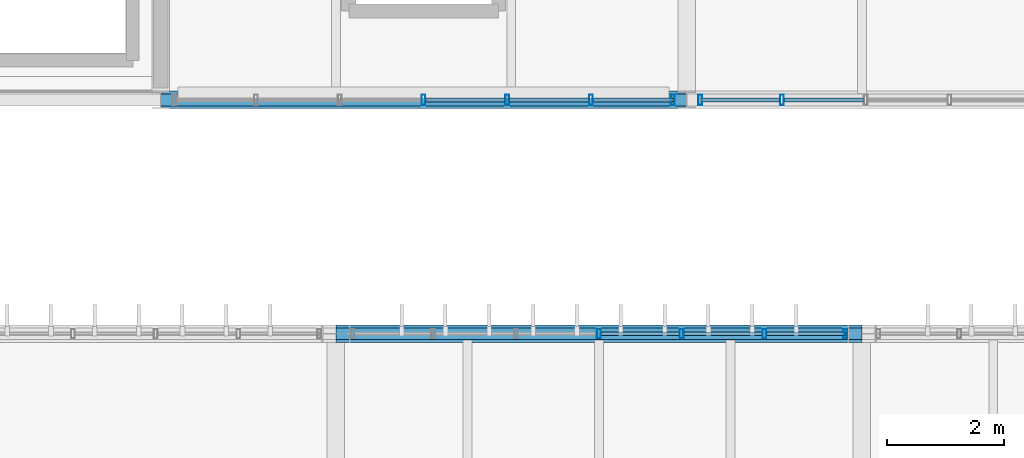
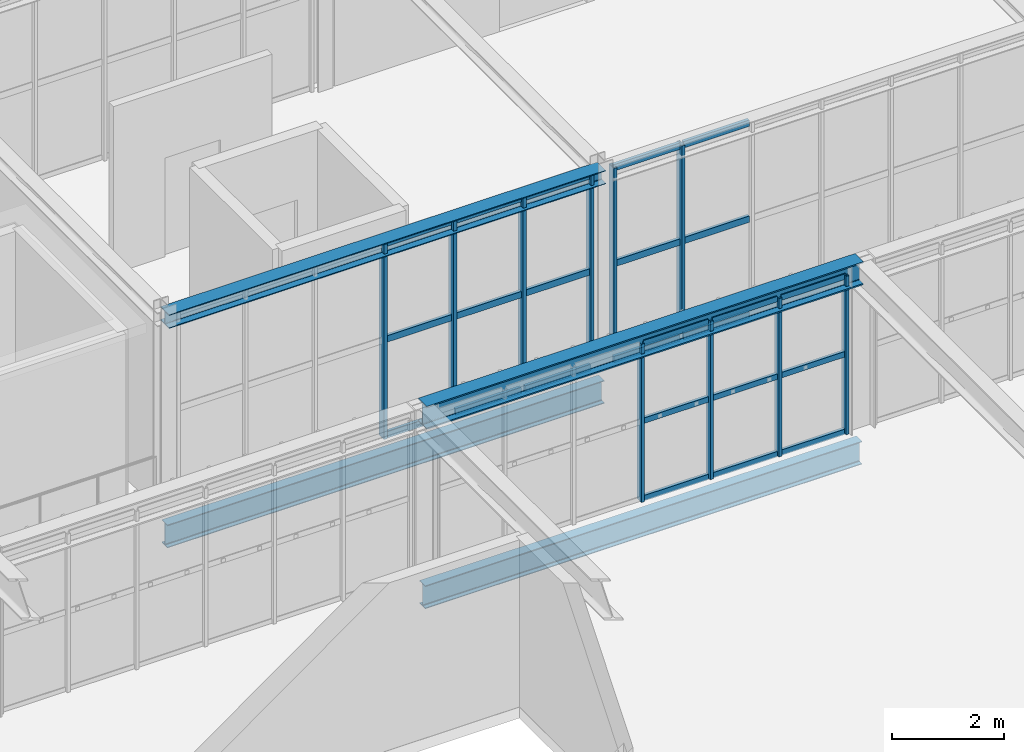
# One storey, part 59 of 152: 34 members, 4 beams, 3 elements without a shape of their own.
"""IFC4 building model written with IfcOpenShell, lengths in metres."""

from ifc_helpers import new_model, si_unit, derived_unit, direction, frame, origin, origin_2d, place, context, subcontext, project, spatial, hollow_rectangle, i_section, extrude, material, material_profile, profile_set, type_object, element, aggregate, save


model = new_model("IFC4")

# Units and contexts
model_context = context("Model", 3, precision=1e-05, world=origin(), true_north=direction((0.0, 1.0)))
body_context = subcontext(model_context, "Body", "Model", "MODEL_VIEW")
ifc_project = project(units=[si_unit("LENGTHUNIT", "METRE"), si_unit("AREAUNIT", "SQUARE_METRE"), si_unit("VOLUMEUNIT", "CUBIC_METRE"), si_unit("PLANEANGLEUNIT", "RADIAN"), si_unit("MASSUNIT", "GRAM", prefix="KILO"), si_unit("THERMODYNAMICTEMPERATUREUNIT", "KELVIN"), si_unit("TIMEUNIT", "SECOND"), derived_unit("THERMALTRANSMITTANCEUNIT", [(si_unit("MASSUNIT", "GRAM", prefix="KILO"), 1), (si_unit("THERMODYNAMICTEMPERATUREUNIT", "KELVIN"), -1), (si_unit("TIMEUNIT", "SECOND"), -3)])], contexts=[model_context])

# Site, building, storey
site_placement = place(None, origin())
site = spatial("IfcSite", under=ifc_project, at=site_placement, CompositionType="ELEMENT")
building_placement = place(site_placement, origin())
building = spatial("IfcBuilding", under=site, at=building_placement, Name="Cambertide Market Hall", CompositionType="ELEMENT")
storey_placement = place(building_placement, frame((0.0, 0.0, 5.39990234375)))
storey = spatial("IfcBuildingStorey", under=building, at=storey_placement, Name="L02", CompositionType="ELEMENT", Elevation=5.39990234375)

# Curtain wall, members
ifc_material_1 = material(Name="Marine Anodized Aluminium 6063-T6 AA25", Category="aluminium")
curtain_wall_type_1 = type_object("IfcCurtainWallType", Name="Lantern Straight Upper Curtain Wall", PredefinedType="USERDEFINED", material=ifc_material_1)
curtain_wall_1_placement = place(storey_placement, origin())
curtain_wall_1 = element("IfcCurtainWall", 1, at=curtain_wall_1_placement, inside=storey, type_object=curtain_wall_type_1, Name="Level 2 Curtain Wall CW-V1N-L02-2", ObjectType="UNITIZED CURTAIN WALL", PredefinedType="USERDEFINED")
ifc_material_2 = material(Name="Champagne Marine Anodized Aluminium 6063-T6 AA25", Category="aluminium")
ifc_material_profile_1 = material_profile(ifc_material_2, hollow_rectangle(XDim=0.06494140625, YDim=0.159912109375, WallThickness=0.00341796875, at=origin_2d()), Name="ALU MULLION 65x160")
ifc_profile_set_1 = profile_set([ifc_material_profile_1], Name="Champagne Marine Anodized Aluminium 6063-T6 AA25")
member_type_1 = type_object("IfcMemberType", Name="Curtain Wall Mullion ALU MULLION 65x160", PredefinedType="MULLION", material=ifc_profile_set_1)
member_1_placement = place(storey_placement, frame((55.5, 92.0, 0.0), z_axis=(0.0, 0.0, 1.0), x_axis=(1.0, 0.0, 0.0)))
member_1 = element("IfcMember", 2, at=member_1_placement, type_object=member_type_1, Name="CW-V1N-L02-2 Mullion 4", PredefinedType="MULLION", context=body_context, shape_type="SweptSolid", body=[
    extrude(hollow_rectangle(XDim=0.06494140625, YDim=0.159912109375, WallThickness=0.00341796875, at=origin_2d()), origin(), (0.0, 0.0, 1.0), 3.4501953125),
])
member_2_placement = place(storey_placement, frame((56.916748046875, 92.0, 0.0), z_axis=(0.0, 0.0, 1.0), x_axis=(1.0, 0.0, 0.0)))
member_2 = element("IfcMember", 3, at=member_2_placement, type_object=member_type_1, Name="CW-V1N-L02-2 Mullion 5", PredefinedType="MULLION", context=body_context, shape_type="SweptSolid", body=[
    extrude(hollow_rectangle(XDim=0.06494140625, YDim=0.159912109375, WallThickness=0.00341796875, at=origin_2d()), origin(), (0.0, 0.0, 1.0), 3.4501953125),
])
member_3_placement = place(storey_placement, frame((58.333251953125, 92.0, 0.0), z_axis=(0.0, 0.0, 1.0), x_axis=(1.0, 0.0, 0.0)))
member_3 = element("IfcMember", 4, at=member_3_placement, type_object=member_type_1, Name="CW-V1N-L02-2 Mullion 6", PredefinedType="MULLION", context=body_context, shape_type="SweptSolid", body=[
    extrude(hollow_rectangle(XDim=0.06494140625, YDim=0.159912109375, WallThickness=0.00341796875, at=origin_2d()), origin(), (0.0, 0.0, 1.0), 3.4501953125),
])
member_4_placement = place(storey_placement, frame((59.715087890625, 92.0, 0.0), z_axis=(0.0, 0.0, 1.0), x_axis=(1.0, 0.0, 0.0)))
member_4 = element("IfcMember", 5, at=member_4_placement, type_object=member_type_1, Name="CW-V1N-L02-2 Mullion 7", PredefinedType="MULLION", context=body_context, shape_type="SweptSolid", body=[
    extrude(hollow_rectangle(XDim=0.06494140625, YDim=0.159912109375, WallThickness=0.00341796875, at=origin_2d()), origin(), (0.0, 0.0, 1.0), 3.4501953125),
])

ifc_material_3 = material(Name="Marine Anodized Aluminium 6063-T6 AA25", Category="aluminium")
curtain_wall_type_2 = type_object("IfcCurtainWallType", Name="Herb Tea Pavilion Terrace Glazed Wall", PredefinedType="USERDEFINED", material=ifc_material_3)
curtain_wall_2_placement = place(storey_placement, origin())
curtain_wall_2 = element("IfcCurtainWall", 6, at=curtain_wall_2_placement, inside=storey, type_object=curtain_wall_type_2, Name="Level 2 Curtain Wall CW-V2PAV-S-4", ObjectType="UNITIZED CURTAIN WALL", PredefinedType="USERDEFINED")
ifc_material_4 = material(Name="Champagne Marine Anodized Aluminium 6063-T6 AA25", Category="aluminium")
ifc_material_profile_2 = material_profile(ifc_material_4, hollow_rectangle(XDim=0.06494140625, YDim=0.179931640625, WallThickness=0.00390625, at=origin_2d()), Name="ALU MULLION 65x180")
ifc_profile_set_2 = profile_set([ifc_material_profile_2], Name="Champagne Marine Anodized Aluminium 6063-T6 AA25")
member_type_2 = type_object("IfcMemberType", Name="Curtain Wall Mullion ALU MULLION 65x180", PredefinedType="MULLION", material=ifc_profile_set_2)
member_5_placement = place(storey_placement, frame((56.764892578125, 96.0, 0.0), z_axis=(0.0, 0.0, 1.0), x_axis=(-1.0, 0.0, 0.0)))
member_5 = element("IfcMember", 7, at=member_5_placement, type_object=member_type_2, Name="CW-V2PAV-S-4 Mullion 1", PredefinedType="MULLION", context=body_context, shape_type="SweptSolid", body=[
    extrude(hollow_rectangle(XDim=0.06494140625, YDim=0.179931640625, WallThickness=0.00390625, at=origin_2d()), origin(), (0.0, 0.0, 1.0), 4.25),
])
member_6_placement = place(storey_placement, frame((55.36669921875, 96.0, 0.0), z_axis=(0.0, 0.0, 1.0), x_axis=(-1.0, 0.0, 0.0)))
member_6 = element("IfcMember", 8, at=member_6_placement, type_object=member_type_2, Name="CW-V2PAV-S-4 Mullion 2", PredefinedType="MULLION", context=body_context, shape_type="SweptSolid", body=[
    extrude(hollow_rectangle(XDim=0.06494140625, YDim=0.179931640625, WallThickness=0.00390625, at=origin_2d()), origin(), (0.0, 0.0, 1.0), 4.25),
])
member_7_placement = place(storey_placement, frame((53.933349609375, 96.0, 0.0), z_axis=(0.0, 0.0, 1.0), x_axis=(-1.0, 0.0, 0.0)))
member_7 = element("IfcMember", 9, at=member_7_placement, type_object=member_type_2, Name="CW-V2PAV-S-4 Mullion 3", PredefinedType="MULLION", context=body_context, shape_type="SweptSolid", body=[
    extrude(hollow_rectangle(XDim=0.06494140625, YDim=0.179931640625, WallThickness=0.00390625, at=origin_2d()), origin(), (0.0, 0.0, 1.0), 4.25),
])
member_8_placement = place(storey_placement, frame((52.5, 96.0, 0.0), z_axis=(0.0, 0.0, 1.0), x_axis=(-1.0, 0.0, 0.0)))
member_8 = element("IfcMember", 10, at=member_8_placement, type_object=member_type_2, Name="CW-V2PAV-S-4 Mullion 4", PredefinedType="MULLION", context=body_context, shape_type="SweptSolid", body=[
    extrude(hollow_rectangle(XDim=0.06494140625, YDim=0.179931640625, WallThickness=0.00390625, at=origin_2d()), origin(), (0.0, 0.0, 1.0), 4.25),
])

curtain_wall_3_placement = place(storey_placement, origin())
curtain_wall_3 = element("IfcCurtainWall", 11, at=curtain_wall_3_placement, inside=storey, type_object=curtain_wall_type_2, Name="Level 2 Curtain Wall CW-V2PAV-S-5", ObjectType="UNITIZED CURTAIN WALL", PredefinedType="USERDEFINED")
member_9_placement = place(storey_placement, frame((58.63330078125, 96.0, 0.0), z_axis=(0.0, 0.0, 1.0), x_axis=(-1.0, 0.0, 0.0)))
member_9 = element("IfcMember", 12, at=member_9_placement, type_object=member_type_2, Name="CW-V2PAV-S-5 Mullion 6", PredefinedType="MULLION", context=body_context, shape_type="SweptSolid", body=[
    extrude(hollow_rectangle(XDim=0.06494140625, YDim=0.179931640625, WallThickness=0.00390625, at=origin_2d()), origin(), (0.0, 0.0, 1.0), 4.25),
])
member_10_placement = place(storey_placement, frame((57.235107421875, 96.0, 0.0), z_axis=(0.0, 0.0, 1.0), x_axis=(-1.0, 0.0, 0.0)))
member_10 = element("IfcMember", 13, at=member_10_placement, type_object=member_type_2, Name="CW-V2PAV-S-5 Mullion 7", PredefinedType="MULLION", context=body_context, shape_type="SweptSolid", body=[
    extrude(hollow_rectangle(XDim=0.06494140625, YDim=0.179931640625, WallThickness=0.00390625, at=origin_2d()), origin(), (0.0, 0.0, 1.0), 4.25),
])

# Member
ifc_material_5 = material(Name="Champagne Marine Anodized Aluminium 6063-T6 AA25", Category="aluminium")
ifc_material_profile_3 = material_profile(ifc_material_5, hollow_rectangle(XDim=0.06494140625, YDim=0.1201171875, WallThickness=0.003173828125, at=origin_2d()), Name="ALU TRANSOM 65x120")
ifc_profile_set_3 = profile_set([ifc_material_profile_3], Name="Champagne Marine Anodized Aluminium 6063-T6 AA25")
member_type_3 = type_object("IfcMemberType", Name="Curtain Wall Transom ALU TRANSOM 65x120", PredefinedType="USERDEFINED", material=ifc_profile_set_3)
member_11_placement = place(storey_placement, frame((55.5400390625, 92.0, 0.03515625), z_axis=(1.0, 0.0, 0.0), x_axis=(0.0, 1.0, 0.0)))
member_11 = element("IfcMember", 14, at=member_11_placement, type_object=member_type_3, Name="CW-V1N-L02-2 Transom 1-4", ObjectType="TRANSOM", PredefinedType="USERDEFINED", context=body_context, shape_type="SweptSolid", body=[
    extrude(hollow_rectangle(XDim=0.06494140625, YDim=0.1201171875, WallThickness=0.003173828125, at=origin_2d()), origin(), (0.0, 0.0, 1.0), 1.336669921875),
])

member_12_placement = place(storey_placement, frame((56.956787109375, 92.0, 0.03515625), z_axis=(1.0, 0.0, 0.0), x_axis=(0.0, 1.0, 0.0)))
member_12 = element("IfcMember", 15, at=member_12_placement, type_object=member_type_3, Name="CW-V1N-L02-2 Transom 1-5", ObjectType="TRANSOM", PredefinedType="USERDEFINED", context=body_context, shape_type="SweptSolid", body=[
    extrude(hollow_rectangle(XDim=0.06494140625, YDim=0.1201171875, WallThickness=0.003173828125, at=origin_2d()), origin(), (0.0, 0.0, 1.0), 1.33642578125),
])

member_13_placement = place(storey_placement, frame((58.373291015625, 92.0, 0.03515625), z_axis=(1.0, 0.0, 0.0), x_axis=(0.0, 1.0, 0.0)))
member_13 = element("IfcMember", 16, at=member_13_placement, type_object=member_type_3, Name="CW-V1N-L02-2 Transom 1-6", ObjectType="TRANSOM", PredefinedType="USERDEFINED", context=body_context, shape_type="SweptSolid", body=[
    extrude(hollow_rectangle(XDim=0.06494140625, YDim=0.1201171875, WallThickness=0.003173828125, at=origin_2d()), origin(), (0.0, 0.0, 1.0), 1.336669921875),
])

member_14_placement = place(storey_placement, frame((55.5400390625, 92.0, 1.72509765625), z_axis=(1.0, 0.0, 0.0), x_axis=(0.0, 1.0, 0.0)))
member_14 = element("IfcMember", 17, at=member_14_placement, type_object=member_type_3, Name="CW-V1N-L02-2 Transom 2-4", ObjectType="TRANSOM", PredefinedType="USERDEFINED", context=body_context, shape_type="SweptSolid", body=[
    extrude(hollow_rectangle(XDim=0.06494140625, YDim=0.1201171875, WallThickness=0.003173828125, at=origin_2d()), origin(), (0.0, 0.0, 1.0), 1.336669921875),
])

member_15_placement = place(storey_placement, frame((56.956787109375, 92.0, 1.72509765625), z_axis=(1.0, 0.0, 0.0), x_axis=(0.0, 1.0, 0.0)))
member_15 = element("IfcMember", 18, at=member_15_placement, type_object=member_type_3, Name="CW-V1N-L02-2 Transom 2-5", ObjectType="TRANSOM", PredefinedType="USERDEFINED", context=body_context, shape_type="SweptSolid", body=[
    extrude(hollow_rectangle(XDim=0.06494140625, YDim=0.1201171875, WallThickness=0.003173828125, at=origin_2d()), origin(), (0.0, 0.0, 1.0), 1.33642578125),
])

member_16_placement = place(storey_placement, frame((58.373291015625, 92.0, 1.72509765625), z_axis=(1.0, 0.0, 0.0), x_axis=(0.0, 1.0, 0.0)))
member_16 = element("IfcMember", 19, at=member_16_placement, type_object=member_type_3, Name="CW-V1N-L02-2 Transom 2-6", ObjectType="TRANSOM", PredefinedType="USERDEFINED", context=body_context, shape_type="SweptSolid", body=[
    extrude(hollow_rectangle(XDim=0.06494140625, YDim=0.1201171875, WallThickness=0.003173828125, at=origin_2d()), origin(), (0.0, 0.0, 1.0), 1.336669921875),
])

member_17_placement = place(storey_placement, frame((55.5400390625, 92.0, 3.4150390625), z_axis=(1.0, 0.0, 0.0), x_axis=(0.0, 1.0, 0.0)))
member_17 = element("IfcMember", 20, at=member_17_placement, type_object=member_type_3, Name="CW-V1N-L02-2 Transom 3-4", ObjectType="TRANSOM", PredefinedType="USERDEFINED", context=body_context, shape_type="SweptSolid", body=[
    extrude(hollow_rectangle(XDim=0.06494140625, YDim=0.1201171875, WallThickness=0.003173828125, at=origin_2d()), origin(), (0.0, 0.0, 1.0), 1.336669921875),
])

member_18_placement = place(storey_placement, frame((56.956787109375, 92.0, 3.4150390625), z_axis=(1.0, 0.0, 0.0), x_axis=(0.0, 1.0, 0.0)))
member_18 = element("IfcMember", 21, at=member_18_placement, type_object=member_type_3, Name="CW-V1N-L02-2 Transom 3-5", ObjectType="TRANSOM", PredefinedType="USERDEFINED", context=body_context, shape_type="SweptSolid", body=[
    extrude(hollow_rectangle(XDim=0.06494140625, YDim=0.1201171875, WallThickness=0.003173828125, at=origin_2d()), origin(), (0.0, 0.0, 1.0), 1.33642578125),
])

member_19_placement = place(storey_placement, frame((58.373291015625, 92.0, 3.4150390625), z_axis=(1.0, 0.0, 0.0), x_axis=(0.0, 1.0, 0.0)))
member_19 = element("IfcMember", 22, at=member_19_placement, type_object=member_type_3, Name="CW-V1N-L02-2 Transom 3-6", ObjectType="TRANSOM", PredefinedType="USERDEFINED", context=body_context, shape_type="SweptSolid", body=[
    extrude(hollow_rectangle(XDim=0.06494140625, YDim=0.1201171875, WallThickness=0.003173828125, at=origin_2d()), origin(), (0.0, 0.0, 1.0), 1.336669921875),
])

aggregate(curtain_wall_1, [member_1, member_2, member_3, member_4, member_11, member_12, member_13, member_14, member_15, member_16, member_17, member_18, member_19])

ifc_material_6 = material(Name="Champagne Marine Anodized Aluminium 6063-T6 AA25", Category="aluminium")
ifc_material_profile_4 = material_profile(ifc_material_6, hollow_rectangle(XDim=0.06494140625, YDim=0.139892578125, WallThickness=0.00341796875, at=origin_2d()), Name="ALU TRANSOM 65x140")
ifc_profile_set_4 = profile_set([ifc_material_profile_4], Name="Champagne Marine Anodized Aluminium 6063-T6 AA25")
member_type_4 = type_object("IfcMemberType", Name="Curtain Wall Transom ALU TRANSOM 65x140", PredefinedType="USERDEFINED", material=ifc_profile_set_4)
member_20_placement = place(storey_placement, frame((56.760009765625, 96.0, 0.03515625), z_axis=(-1.0, 0.0, 0.0), x_axis=(0.0, -1.0, 0.0)))
member_20 = element("IfcMember", 23, at=member_20_placement, type_object=member_type_4, Name="CW-V2PAV-S-4 Transom 1-1", ObjectType="TRANSOM", PredefinedType="USERDEFINED", context=body_context, shape_type="SweptSolid", body=[
    extrude(hollow_rectangle(XDim=0.06494140625, YDim=0.139892578125, WallThickness=0.00341796875, at=origin_2d()), origin(), (0.0, 0.0, 1.0), 1.353271484375),
])

member_21_placement = place(storey_placement, frame((55.32666015625, 96.0, 0.03515625), z_axis=(-1.0, 0.0, 0.0), x_axis=(0.0, -1.0, 0.0)))
member_21 = element("IfcMember", 24, at=member_21_placement, type_object=member_type_4, Name="CW-V2PAV-S-4 Transom 1-2", ObjectType="TRANSOM", PredefinedType="USERDEFINED", context=body_context, shape_type="SweptSolid", body=[
    extrude(hollow_rectangle(XDim=0.06494140625, YDim=0.139892578125, WallThickness=0.00341796875, at=origin_2d()), origin(), (0.0, 0.0, 1.0), 1.353271484375),
])

member_22_placement = place(storey_placement, frame((53.893310546875, 96.0, 0.03515625), z_axis=(-1.0, 0.0, 0.0), x_axis=(0.0, -1.0, 0.0)))
member_22 = element("IfcMember", 25, at=member_22_placement, type_object=member_type_4, Name="CW-V2PAV-S-4 Transom 1-3", ObjectType="TRANSOM", PredefinedType="USERDEFINED", context=body_context, shape_type="SweptSolid", body=[
    extrude(hollow_rectangle(XDim=0.06494140625, YDim=0.139892578125, WallThickness=0.00341796875, at=origin_2d()), origin(), (0.0, 0.0, 1.0), 1.353271484375),
])

member_23_placement = place(storey_placement, frame((56.760009765625, 96.0, 2.125), z_axis=(-1.0, 0.0, 0.0), x_axis=(0.0, -1.0, 0.0)))
member_23 = element("IfcMember", 26, at=member_23_placement, type_object=member_type_4, Name="CW-V2PAV-S-4 Transom 2-1", ObjectType="TRANSOM", PredefinedType="USERDEFINED", context=body_context, shape_type="SweptSolid", body=[
    extrude(hollow_rectangle(XDim=0.06494140625, YDim=0.139892578125, WallThickness=0.00341796875, at=origin_2d()), origin(), (0.0, 0.0, 1.0), 1.353271484375),
])

member_24_placement = place(storey_placement, frame((55.32666015625, 96.0, 2.125), z_axis=(-1.0, 0.0, 0.0), x_axis=(0.0, -1.0, 0.0)))
member_24 = element("IfcMember", 27, at=member_24_placement, type_object=member_type_4, Name="CW-V2PAV-S-4 Transom 2-2", ObjectType="TRANSOM", PredefinedType="USERDEFINED", context=body_context, shape_type="SweptSolid", body=[
    extrude(hollow_rectangle(XDim=0.06494140625, YDim=0.139892578125, WallThickness=0.00341796875, at=origin_2d()), origin(), (0.0, 0.0, 1.0), 1.353271484375),
])

member_25_placement = place(storey_placement, frame((53.893310546875, 96.0, 2.125), z_axis=(-1.0, 0.0, 0.0), x_axis=(0.0, -1.0, 0.0)))
member_25 = element("IfcMember", 28, at=member_25_placement, type_object=member_type_4, Name="CW-V2PAV-S-4 Transom 2-3", ObjectType="TRANSOM", PredefinedType="USERDEFINED", context=body_context, shape_type="SweptSolid", body=[
    extrude(hollow_rectangle(XDim=0.06494140625, YDim=0.139892578125, WallThickness=0.00341796875, at=origin_2d()), origin(), (0.0, 0.0, 1.0), 1.353271484375),
])

member_26_placement = place(storey_placement, frame((56.760009765625, 96.0, 4.215087890625), z_axis=(-1.0, 0.0, 0.0), x_axis=(0.0, -1.0, 0.0)))
member_26 = element("IfcMember", 29, at=member_26_placement, type_object=member_type_4, Name="CW-V2PAV-S-4 Transom 3-1", ObjectType="TRANSOM", PredefinedType="USERDEFINED", context=body_context, shape_type="SweptSolid", body=[
    extrude(hollow_rectangle(XDim=0.06494140625, YDim=0.139892578125, WallThickness=0.00341796875, at=origin_2d()), origin(), (0.0, 0.0, 1.0), 1.353271484375),
])

member_27_placement = place(storey_placement, frame((55.32666015625, 96.0, 4.215087890625), z_axis=(-1.0, 0.0, 0.0), x_axis=(0.0, -1.0, 0.0)))
member_27 = element("IfcMember", 30, at=member_27_placement, type_object=member_type_4, Name="CW-V2PAV-S-4 Transom 3-2", ObjectType="TRANSOM", PredefinedType="USERDEFINED", context=body_context, shape_type="SweptSolid", body=[
    extrude(hollow_rectangle(XDim=0.06494140625, YDim=0.139892578125, WallThickness=0.00341796875, at=origin_2d()), origin(), (0.0, 0.0, 1.0), 1.353271484375),
])

member_28_placement = place(storey_placement, frame((53.893310546875, 96.0, 4.215087890625), z_axis=(-1.0, 0.0, 0.0), x_axis=(0.0, -1.0, 0.0)))
member_28 = element("IfcMember", 31, at=member_28_placement, type_object=member_type_4, Name="CW-V2PAV-S-4 Transom 3-3", ObjectType="TRANSOM", PredefinedType="USERDEFINED", context=body_context, shape_type="SweptSolid", body=[
    extrude(hollow_rectangle(XDim=0.06494140625, YDim=0.139892578125, WallThickness=0.00341796875, at=origin_2d()), origin(), (0.0, 0.0, 1.0), 1.353271484375),
])

aggregate(curtain_wall_2, [member_5, member_6, member_7, member_8, member_20, member_21, member_22, member_23, member_24, member_25, member_26, member_27, member_28])

member_29_placement = place(storey_placement, frame((60.026611328125, 96.0, 0.03515625), z_axis=(-1.0, 0.0, 0.0), x_axis=(0.0, -1.0, 0.0)))
member_29 = element("IfcMember", 32, at=member_29_placement, type_object=member_type_4, Name="CW-V2PAV-S-5 Transom 1-5", ObjectType="TRANSOM", PredefinedType="USERDEFINED", context=body_context, shape_type="SweptSolid", body=[
    extrude(hollow_rectangle(XDim=0.06494140625, YDim=0.139892578125, WallThickness=0.00341796875, at=origin_2d()), origin(), (0.0, 0.0, 1.0), 1.353271484375),
])

member_30_placement = place(storey_placement, frame((58.59326171875, 96.0, 0.03515625), z_axis=(-1.0, 0.0, 0.0), x_axis=(0.0, -1.0, 0.0)))
member_30 = element("IfcMember", 33, at=member_30_placement, type_object=member_type_4, Name="CW-V2PAV-S-5 Transom 1-6", ObjectType="TRANSOM", PredefinedType="USERDEFINED", context=body_context, shape_type="SweptSolid", body=[
    extrude(hollow_rectangle(XDim=0.06494140625, YDim=0.139892578125, WallThickness=0.00341796875, at=origin_2d()), origin(), (0.0, 0.0, 1.0), 1.353271484375),
])

member_31_placement = place(storey_placement, frame((60.026611328125, 96.0, 2.125), z_axis=(-1.0, 0.0, 0.0), x_axis=(0.0, -1.0, 0.0)))
member_31 = element("IfcMember", 34, at=member_31_placement, type_object=member_type_4, Name="CW-V2PAV-S-5 Transom 2-5", ObjectType="TRANSOM", PredefinedType="USERDEFINED", context=body_context, shape_type="SweptSolid", body=[
    extrude(hollow_rectangle(XDim=0.06494140625, YDim=0.139892578125, WallThickness=0.00341796875, at=origin_2d()), origin(), (0.0, 0.0, 1.0), 1.353271484375),
])

member_32_placement = place(storey_placement, frame((58.59326171875, 96.0, 2.125), z_axis=(-1.0, 0.0, 0.0), x_axis=(0.0, -1.0, 0.0)))
member_32 = element("IfcMember", 35, at=member_32_placement, type_object=member_type_4, Name="CW-V2PAV-S-5 Transom 2-6", ObjectType="TRANSOM", PredefinedType="USERDEFINED", context=body_context, shape_type="SweptSolid", body=[
    extrude(hollow_rectangle(XDim=0.06494140625, YDim=0.139892578125, WallThickness=0.00341796875, at=origin_2d()), origin(), (0.0, 0.0, 1.0), 1.353271484375),
])

member_33_placement = place(storey_placement, frame((60.026611328125, 96.0, 4.215087890625), z_axis=(-1.0, 0.0, 0.0), x_axis=(0.0, -1.0, 0.0)))
member_33 = element("IfcMember", 36, at=member_33_placement, type_object=member_type_4, Name="CW-V2PAV-S-5 Transom 3-5", ObjectType="TRANSOM", PredefinedType="USERDEFINED", context=body_context, shape_type="SweptSolid", body=[
    extrude(hollow_rectangle(XDim=0.06494140625, YDim=0.139892578125, WallThickness=0.00341796875, at=origin_2d()), origin(), (0.0, 0.0, 1.0), 1.353271484375),
])

member_34_placement = place(storey_placement, frame((58.59326171875, 96.0, 4.215087890625), z_axis=(-1.0, 0.0, 0.0), x_axis=(0.0, -1.0, 0.0)))
member_34 = element("IfcMember", 37, at=member_34_placement, type_object=member_type_4, Name="CW-V2PAV-S-5 Transom 3-6", ObjectType="TRANSOM", PredefinedType="USERDEFINED", context=body_context, shape_type="SweptSolid", body=[
    extrude(hollow_rectangle(XDim=0.06494140625, YDim=0.139892578125, WallThickness=0.00341796875, at=origin_2d()), origin(), (0.0, 0.0, 1.0), 1.353271484375),
])

aggregate(curtain_wall_3, [member_9, member_10, member_29, member_30, member_31, member_32, member_33, member_34])

# Beams
ifc_material_7 = material(Name="Steel S355", Category="steel")
ifc_material_profile_5 = material_profile(ifc_material_7, i_section(OverallWidth=0.300048828125, OverallDepth=0.300048828125, WebThickness=0.010986328125, FlangeThickness=0.01904296875, FilletRadius=0.027099609375, at=origin_2d()), Name="HEB 300")
ifc_profile_set_5 = profile_set([ifc_material_profile_5], Name="Steel S355")
beam_type_1 = type_object("IfcBeamType", Name="Exterior Steel Girder HEB 300", PredefinedType="BEAM", material=ifc_profile_set_5)
beam_1_placement = place(storey_placement, frame((48.0, 96.0, 4.170166015625), z_axis=(1.0, 0.0, 0.0), x_axis=(0.0, 1.0, 0.0)))
element("IfcBeam", 38, at=beam_1_placement, inside=storey, type_object=beam_type_1, Name="Level 2 Beam BM-V2PAV-X-4-0", PredefinedType="BEAM", context=body_context, shape_type="SweptSolid", body=[
    extrude(i_section(OverallWidth=0.300048828125, OverallDepth=0.300048828125, WebThickness=0.010986328125, FlangeThickness=0.01904296875, FilletRadius=0.027099609375, at=origin_2d()), origin(), (0.0, 0.0, 1.0), 9.0),
])
ifc_material_8 = material(Name="Steel S355", Category="steel")
ifc_material_profile_6 = material_profile(ifc_material_8, i_section(OverallWidth=0.300048828125, OverallDepth=0.5, WebThickness=0.014404296875, FlangeThickness=0.028076171875, FilletRadius=0.027099609375, at=origin_2d()), Name="HEB 500")
ifc_profile_set_6 = profile_set([ifc_material_profile_6], Name="Steel S355")
beam_type_2 = type_object("IfcBeamType", Name="Exterior Steel Girder HEB 500", PredefinedType="BEAM", material=ifc_profile_set_6)
beam_2_placement = place(storey_placement, frame((51.0, 92.0, 3.4501953125), z_axis=(1.0, 0.0, 0.0), x_axis=(0.0, 1.0, 0.0)))
element("IfcBeam", 39, at=beam_2_placement, inside=storey, type_object=beam_type_2, Name="Level 2 Beam EAVE-V1N-2", PredefinedType="BEAM", context=body_context, shape_type="SweptSolid", body=[
    extrude(i_section(OverallWidth=0.300048828125, OverallDepth=0.5, WebThickness=0.014404296875, FlangeThickness=0.028076171875, FilletRadius=0.027099609375, at=origin_2d()), origin(), (0.0, 0.0, 1.0), 9.0),
])
ifc_material_9 = material(Name="Steel S355", Category="steel")
ifc_material_profile_7 = material_profile(ifc_material_9, i_section(OverallWidth=0.199951171875, OverallDepth=0.5, WebThickness=0.01025390625, FlangeThickness=0.01611328125, FilletRadius=0.02099609375, at=origin_2d()), Name="IPE 500")
ifc_profile_set_7 = profile_set([ifc_material_profile_7], Name="Steel S355")
beam_type_3 = type_object("IfcBeamType", Name="Perimeter Spandrel Beam IPE 500", PredefinedType="SPANDREL", material=ifc_profile_set_7)
beam_3_placement = place(storey_placement, frame((51.0, 92.0, -0.489990234375), z_axis=(1.0, 0.0, 0.0), x_axis=(0.0, 1.0, 0.0)))
element("IfcBeam", 40, at=beam_3_placement, inside=storey, type_object=beam_type_3, Name="Level 2 Spandrel BM-V1N-L02-2", PredefinedType="SPANDREL", context=body_context, shape_type="SweptSolid", body=[
    extrude(i_section(OverallWidth=0.199951171875, OverallDepth=0.5, WebThickness=0.01025390625, FlangeThickness=0.01611328125, FilletRadius=0.02099609375, at=origin_2d()), origin(), (0.0, 0.0, 1.0), 9.0),
])
ifc_material_10 = material(Name="Steel S355", Category="steel")
ifc_material_profile_8 = material_profile(ifc_material_10, i_section(OverallWidth=0.199951171875, OverallDepth=0.5, WebThickness=0.01025390625, FlangeThickness=0.01611328125, FilletRadius=0.02099609375, at=origin_2d()), Name="IPE 500")
ifc_profile_set_8 = profile_set([ifc_material_profile_8], Name="Steel S355")
beam_type_4 = type_object("IfcBeamType", Name="Steel Girder IPE 500", PredefinedType="BEAM", material=ifc_profile_set_8)
beam_4_placement = place(storey_placement, frame((48.0, 96.0, -0.539794921875), z_axis=(1.0, 0.0, 0.0), x_axis=(0.0, 1.0, 0.0)))
element("IfcBeam", 41, at=beam_4_placement, inside=storey, type_object=beam_type_4, Name="Level 2 Beam BM-V2X-L02-5-1", PredefinedType="BEAM", context=body_context, shape_type="SweptSolid", body=[
    extrude(i_section(OverallWidth=0.199951171875, OverallDepth=0.5, WebThickness=0.01025390625, FlangeThickness=0.01611328125, FilletRadius=0.02099609375, at=origin_2d()), origin(), (0.0, 0.0, 1.0), 9.0),
])

save(model, "model.ifc")
